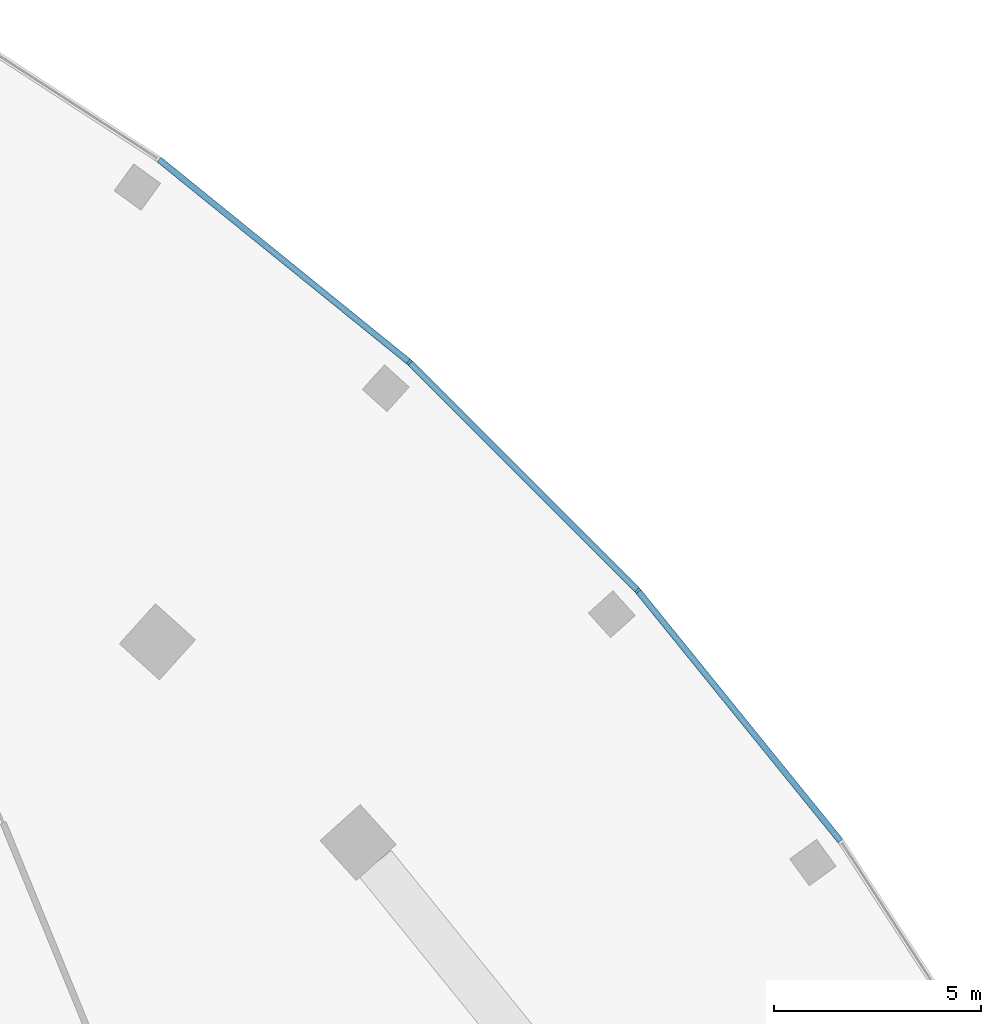
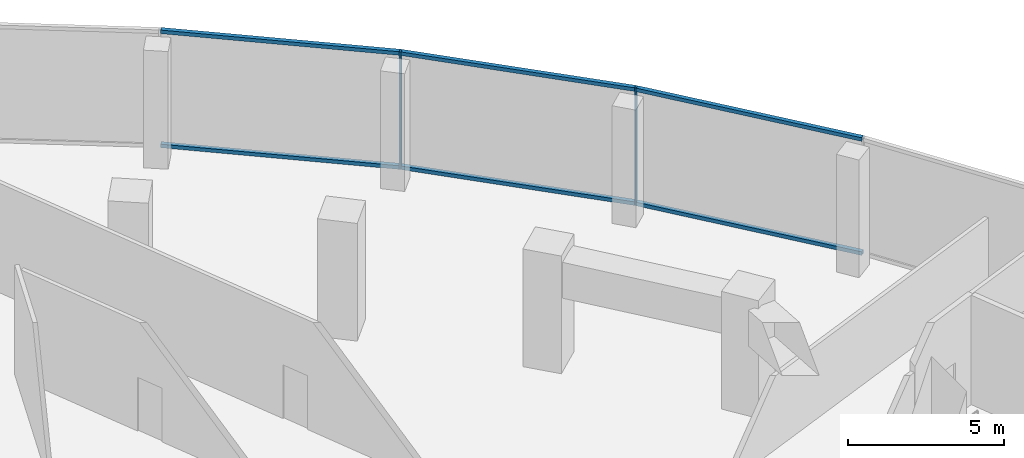
# One storey, part 15 of 33: 8 members, 1 element without a shape of its own.
"""IFC4 building model written with IfcOpenShell, lengths in metres."""

from ifc_helpers import new_model, si_unit, direction, frame, origin, origin_2d, place, context, subcontext, project, spatial, rectangle, extrude, material, layer, layer_set, material_profile, profile_set, type_object, element, aggregate, save


model = new_model("IFC4")

# Units and contexts
model_context = context("Model", 3, precision=1e-05, world=origin(), true_north=direction((0.0, 1.0)))
body_context = subcontext(model_context, "Body", "Model", "MODEL_VIEW")
ifc_project = project(units=[si_unit("LENGTHUNIT", "METRE"), si_unit("AREAUNIT", "SQUARE_METRE"), si_unit("VOLUMEUNIT", "CUBIC_METRE"), si_unit("PLANEANGLEUNIT", "RADIAN"), si_unit("MASSUNIT", "GRAM", prefix="KILO")], contexts=[model_context])

# Site, building, storey
site_placement = place(None, origin())
site = spatial("IfcSite", under=ifc_project, at=site_placement, CompositionType="ELEMENT")
building_placement = place(site_placement, origin())
building = spatial("IfcBuilding", under=site, at=building_placement, Name="Stone Belt Terrace Tower", CompositionType="ELEMENT")
storey_placement = place(building_placement, frame((0.0, 0.0, 25.39990234375)))
storey = spatial("IfcBuildingStorey", under=building, at=storey_placement, Name="L05", CompositionType="ELEMENT", Elevation=25.39990234375)

# Curtain wall, members
ifc_material = material(Name="Aluminium 6063-T6 anodised frame", Category="aluminium")
ifc_layer = layer(ifc_material, 0.14990234375)
ifc_layer_set = layer_set([ifc_layer], Name="CW-D podium shopfront")
curtain_wall_type = type_object("IfcCurtainWallType", Name="CW-D podium shopfront", PredefinedType="NOTDEFINED", material=ifc_layer_set)
curtain_wall_placement = place(storey_placement, origin())
curtain_wall = element("IfcCurtainWall", 1, at=curtain_wall_placement, inside=storey, type_object=curtain_wall_type, Name="CW-D convex face L05", PredefinedType="NOTDEFINED")
ifc_material_profile_1 = material_profile(ifc_material, rectangle(XDim=0.14990234375, YDim=0.06005859375, at=origin_2d()), Name="Aluminium 6063-T6 60x150")
ifc_profile_set_1 = profile_set([ifc_material_profile_1], Name="Aluminium 6063-T6 anodised frame")
member_type_1 = type_object("IfcMemberType", Name="CW-D mullion 60 x 150", PredefinedType="MULLION", material=ifc_profile_set_1)
member_1_placement = place(storey_placement, frame((55.420166015625, 49.900390625, 0.0), z_axis=(0.0, 0.0, 1.0), x_axis=(-0.743144825477, -0.669130606359, 0.0)))
member_1 = element("IfcMember", 2, at=member_1_placement, type_object=member_type_1, Name="CW-D mullion 5", PredefinedType="MULLION", context=body_context, shape_type="SweptSolid", body=[
    extrude(rectangle(XDim=0.14990234375, YDim=0.06005859375, at=origin_2d()), origin(), (0.0, 0.0, 1.0), 4.60009765625),
])
member_2_placement = place(storey_placement, frame((49.900390625, 55.420166015625, 0.0), z_axis=(0.0, 0.0, 1.0), x_axis=(-0.669130606359, -0.743144825477, 0.0)))
member_2 = element("IfcMember", 3, at=member_2_placement, type_object=member_type_1, Name="CW-D mullion 6", PredefinedType="MULLION", context=body_context, shape_type="SweptSolid", body=[
    extrude(rectangle(XDim=0.14990234375, YDim=0.06005859375, at=origin_2d()), origin(), (0.0, 0.0, 1.0), 4.60009765625),
])
ifc_material_profile_2 = material_profile(ifc_material, rectangle(XDim=0.14990234375, YDim=0.139892578125, at=origin_2d()), Name="Aluminium 6063-T6 150x140")
ifc_profile_set_2 = profile_set([ifc_material_profile_2], Name="Aluminium 6063-T6 anodised frame")
member_type_2 = type_object("IfcMemberType", Name="CW-D transom 140 x 150", PredefinedType="USERDEFINED", material=ifc_profile_set_2)
member_3_placement = place(storey_placement, frame((60.311279296875, 43.860595703125, 0.070068359375), z_axis=(-0.62932800712, 0.777139794023, 0.0), x_axis=(-0.777139794023, -0.62932800712, 0.0)))
member_3 = element("IfcMember", 4, at=member_3_placement, type_object=member_type_2, Name="CW-D transom 4.1", ObjectType="TRANSOM", PredefinedType="USERDEFINED", context=body_context, shape_type="SweptSolid", body=[
    extrude(rectangle(XDim=0.14990234375, YDim=0.139892578125, at=origin_2d()), origin(), (0.0, 0.0, 1.0), 7.73828125),
])
member_4_placement = place(storey_placement, frame((60.311279296875, 43.860595703125, 4.530029296875), z_axis=(-0.62932800712, 0.777139794023, 0.0), x_axis=(-0.777139794023, -0.62932800712, 0.0)))
member_4 = element("IfcMember", 5, at=member_4_placement, type_object=member_type_2, Name="CW-D transom 4.2", ObjectType="TRANSOM", PredefinedType="USERDEFINED", context=body_context, shape_type="SweptSolid", body=[
    extrude(rectangle(XDim=0.14990234375, YDim=0.139892578125, at=origin_2d()), origin(), (0.0, 0.0, 1.0), 7.73828125),
])
member_5_placement = place(storey_placement, frame((55.396240234375, 49.924560546875, 0.070068359375), z_axis=(-0.707106781187, 0.707106781187, 0.0), x_axis=(-0.707106781187, -0.707106781187, 0.0)))
member_5 = element("IfcMember", 6, at=member_5_placement, type_object=member_type_2, Name="CW-D transom 5.1", ObjectType="TRANSOM", PredefinedType="USERDEFINED", context=body_context, shape_type="SweptSolid", body=[
    extrude(rectangle(XDim=0.14990234375, YDim=0.139892578125, at=origin_2d()), origin(), (0.0, 0.0, 1.0), 7.738037109375),
])
member_6_placement = place(storey_placement, frame((55.396240234375, 49.924560546875, 4.530029296875), z_axis=(-0.707106781187, 0.707106781187, 0.0), x_axis=(-0.707106781187, -0.707106781187, 0.0)))
member_6 = element("IfcMember", 7, at=member_6_placement, type_object=member_type_2, Name="CW-D transom 5.2", ObjectType="TRANSOM", PredefinedType="USERDEFINED", context=body_context, shape_type="SweptSolid", body=[
    extrude(rectangle(XDim=0.14990234375, YDim=0.139892578125, at=origin_2d()), origin(), (0.0, 0.0, 1.0), 7.738037109375),
])
member_7_placement = place(storey_placement, frame((49.874267578125, 55.44140625, 0.070068359375), z_axis=(-0.777139794023, 0.62932800712, 0.0), x_axis=(-0.62932800712, -0.777139794023, 0.0)))
member_7 = element("IfcMember", 8, at=member_7_placement, type_object=member_type_2, Name="CW-D transom 6.1", ObjectType="TRANSOM", PredefinedType="USERDEFINED", context=body_context, shape_type="SweptSolid", body=[
    extrude(rectangle(XDim=0.14990234375, YDim=0.139892578125, at=origin_2d()), origin(), (0.0, 0.0, 1.0), 7.73828125),
])
member_8_placement = place(storey_placement, frame((49.874267578125, 55.44140625, 4.530029296875), z_axis=(-0.777139794023, 0.62932800712, 0.0), x_axis=(-0.62932800712, -0.777139794023, 0.0)))
member_8 = element("IfcMember", 9, at=member_8_placement, type_object=member_type_2, Name="CW-D transom 6.2", ObjectType="TRANSOM", PredefinedType="USERDEFINED", context=body_context, shape_type="SweptSolid", body=[
    extrude(rectangle(XDim=0.14990234375, YDim=0.139892578125, at=origin_2d()), origin(), (0.0, 0.0, 1.0), 7.73828125),
])
aggregate(curtain_wall, [member_1, member_2, member_3, member_4, member_5, member_6, member_7, member_8])

save(model, "model.ifc")
